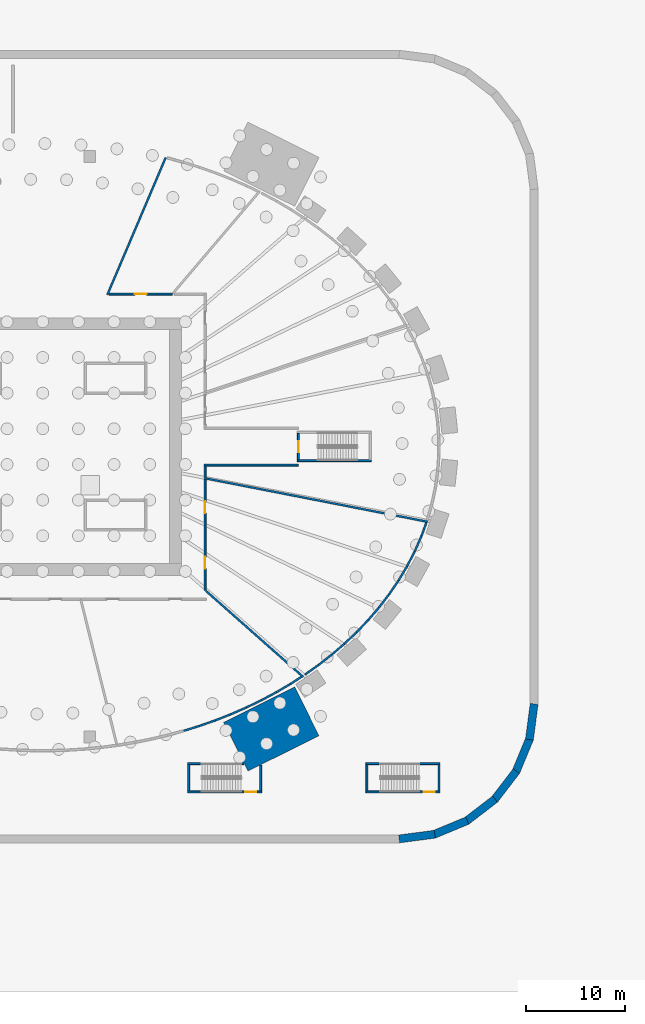
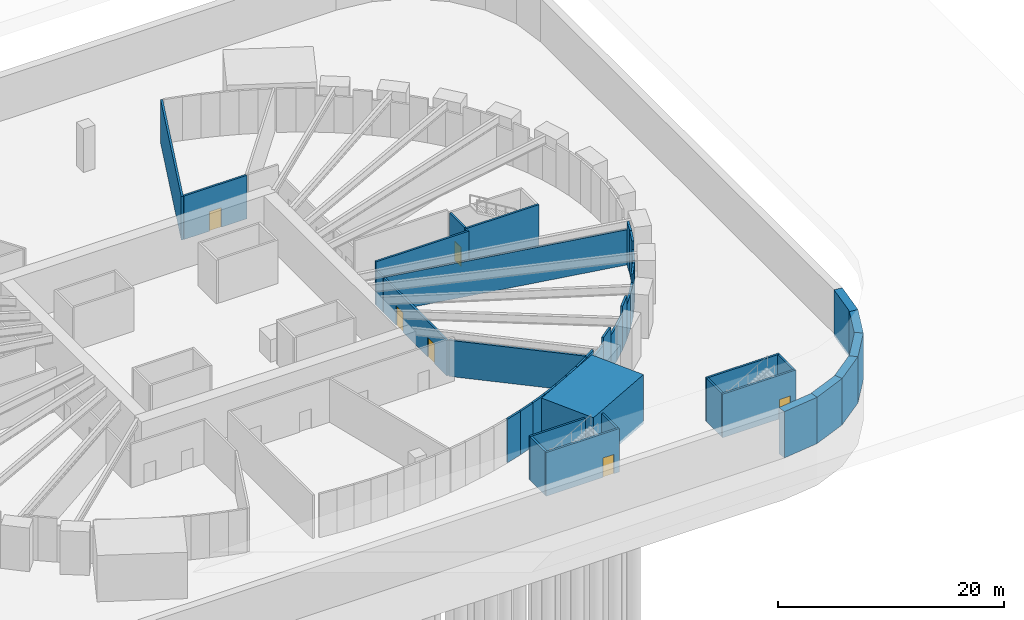
# One storey, part 5 of 14: 44 walls, 6 doors, 6 openings.
"""IFC4 building model written with IfcOpenShell, lengths in metres."""

from ifc_helpers import new_model, si_unit, direction, frame, frame_2d, origin, place, context, subcontext, project, spatial, rectangle, extrude, source, transform, mapped, material, layer, layer_set, type_object, element, fill, save


model = new_model("IFC4")

# Units and contexts
model_context = context("Model", 3, precision=1e-05, world=origin(), true_north=direction((0.0, 1.0)))
body_context = subcontext(model_context, "Body", "Model", "MODEL_VIEW")
ifc_project = project(units=[si_unit("LENGTHUNIT", "METRE"), si_unit("AREAUNIT", "SQUARE_METRE"), si_unit("VOLUMEUNIT", "CUBIC_METRE"), si_unit("PLANEANGLEUNIT", "RADIAN"), si_unit("MASSUNIT", "GRAM", prefix="KILO")], contexts=[model_context])

# Site, building, storey
site_placement = place(None, origin())
site = spatial("IfcSite", under=ifc_project, at=site_placement, CompositionType="ELEMENT")
building_placement = place(site_placement, origin())
building = spatial("IfcBuilding", under=site, at=building_placement, Name="Embergate Tower", CompositionType="ELEMENT")
storey_placement = place(building_placement, frame((0.0, 0.0, -10.0)))
storey = spatial("IfcBuildingStorey", under=building, at=storey_placement, Name="B2", CompositionType="ELEMENT", Elevation=-10.0)

# Walls
ifc_material_1 = material(Name="Concrete C40", Category="concrete")
ifc_layer_1 = layer(ifc_material_1, 0.800048828125)
ifc_layer_set_1 = layer_set([ifc_layer_1], Name="Concrete C40")
wall_type_1 = type_object("IfcWallType", Name="Basement retaining wall C40 800", PredefinedType="SOLIDWALL", material=ifc_layer_set_1)
shared_shape_1 = source(origin(), body_context, "Body", "SweptSolid", [
    extrude(rectangle(XDim=3.62890625, YDim=0.800048828125, at=frame_2d((1.814453125, 0.0))), origin(), (0.0, 0.0, 1.0), 5.0),
])
for number, where, z_axis, x_axis, name in (
    (1, (35.97412109375, -39.60302734375, -0.300048828125), (0.0, 0.0, 1.0), (0.991463681552, 0.130383159045, 0.0), "RWL-B2-021"),
    (2, (49.1298828125, -29.572021484375, -0.300048828125), (0.0, 0.0, 1.0), (0.130383159045, 0.991463681552, 0.0), "RWL-B2-026"),
):
    element("IfcWall", number, at=place(storey_placement, frame(where, z_axis=z_axis, x_axis=x_axis)), inside=storey, type_object=wall_type_1, Name=name, PredefinedType="SOLIDWALL", context=body_context, shape_type="MappedRepresentation", body=[
        mapped(shared_shape_1, transform((0.0, 0.0, 0.0))),
    ])
shared_shape_2 = source(origin(), body_context, "Body", "SweptSolid", [
    extrude(rectangle(XDim=3.65625, YDim=0.800048828125, at=frame_2d((1.828125, 0.0))), origin(), (0.0, 0.0, 1.0), 5.0),
])
for number, where, z_axis, x_axis, name in (
    (3, (39.470947265625, -39.156982421875, -0.300048828125), (0.0, 0.0, 1.0), (0.923914303601, 0.382599476739, 0.0), "RWL-B2-022"),
    (4, (47.758056640625, -32.84912109375, -0.300048828125), (0.0, 0.0, 1.0), (0.382599476739, 0.923914303601, 0.0), "RWL-B2-025"),
):
    element("IfcWall", number, at=place(storey_placement, frame(where, z_axis=z_axis, x_axis=x_axis)), inside=storey, type_object=wall_type_1, Name=name, PredefinedType="SOLIDWALL", context=body_context, shape_type="MappedRepresentation", body=[
        mapped(shared_shape_2, transform((0.0, 0.0, 0.0))),
    ])
shared_shape_3 = source(origin(), body_context, "Body", "SweptSolid", [
    extrude(rectangle(XDim=3.656005859375, YDim=0.800048828125, at=frame_2d((1.828125, 0.0))), origin(), (0.0, 0.0, 1.0), 5.0),
])
for number, where, z_axis, x_axis, name in (
    (5, (42.758056640625, -37.81005859375, -0.300048828125), (0.0, 0.0, 1.0), (0.793462314297, 0.608619384994, 0.0), "RWL-B2-023"),
    (6, (45.5849609375, -35.658935546875, -0.300048828125), (0.0, 0.0, 1.0), (0.608619384994, 0.793462314297, 0.0), "RWL-B2-024"),
):
    element("IfcWall", number, at=place(storey_placement, frame(where, z_axis=z_axis, x_axis=x_axis)), inside=storey, type_object=wall_type_1, Name=name, PredefinedType="SOLIDWALL", context=body_context, shape_type="MappedRepresentation", body=[
        mapped(shared_shape_3, transform((0.0, 0.0, 0.0))),
    ])
ifc_material_2 = material(Name="Concrete C70", Category="concrete")
ifc_layer_2 = layer(ifc_material_2, 5.5)
ifc_layer_set_2 = layer_set([ifc_layer_2], Name="Concrete C70")
wall_type_2 = type_object("IfcWallType", Name="Abutment pier wall RC 5500x8000", PredefinedType="SHEAR", material=ifc_layer_set_2)
shared_shape_4 = source(origin(), body_context, "Body", "SweptSolid", [
    extrude(rectangle(XDim=8.000732421875, YDim=5.5, at=frame_2d((4.00048828125, 0.0))), origin(), (0.0, 0.0, 1.0), 5.300048828125),
])
wall_1_placement = place(storey_placement, frame((19.493896484375, -30.2880859375, -0.300048828125), z_axis=(0.0, 0.0, 1.0), x_axis=(0.895668726524, 0.444721859511, 0.0)))
element("IfcWall", 7, at=wall_1_placement, inside=storey, type_object=wall_type_2, Name="PIER-B2-37", PredefinedType="SHEAR", context=body_context, shape_type="MappedRepresentation", body=[
    mapped(shared_shape_4, transform((0.0, 0.0, 0.0))),
])
ifc_layer_3 = layer(ifc_material_1, 0.199951171875)
ifc_layer_set_3 = layer_set([ifc_layer_3], Name="Concrete C40")
wall_type_3 = type_object("IfcWallType", Name="Stair enclosure wall RC 200", PredefinedType="STANDARD", material=ifc_layer_set_3)
shared_shape_5 = source(origin(), body_context, "Body", "SweptSolid", [
    extrude(rectangle(XDim=2.64990234375, YDim=0.199951171875, at=frame_2d((1.324951171875, 0.0))), origin(), (0.0, 0.0, 1.0), 4.699951171875),
])
wall_2_placement = place(storey_placement, frame((14.72998046875, -34.75, 0.0), z_axis=(0.0, 0.0, 1.0), x_axis=(0.0, 1.0, 0.0)))
element("IfcWall", 8, at=wall_2_placement, inside=storey, type_object=wall_type_3, Name="Stair wall 104", PredefinedType="STANDARD", context=body_context, shape_type="MappedRepresentation", body=[
    mapped(shared_shape_5, transform((0.0, 0.0, 0.0))),
])

# Wall, opening, door
wall_3_placement = place(storey_placement, frame((25.800048828125, 1.324951171875, 0.0), z_axis=(0.0, 0.0, 1.0), x_axis=(0.0, -1.0, 0.0)))
wall_3 = element("IfcWall", 9, at=wall_3_placement, inside=storey, type_object=wall_type_3, Name="Stair wall 132", PredefinedType="STANDARD", context=body_context, shape_type="MappedRepresentation", body=[
    mapped(shared_shape_5, transform((0.0, 0.0, 0.0))),
])
shared_shape_6 = source(origin(), body_context, "Body", "SweptSolid", [
    extrude(rectangle(XDim=1.10009765625, YDim=2.10009765625, at=frame_2d((0.550048828125, 1.050048828125))), frame((0.0, 0.10986328125, 0.0), z_axis=(0.0, -1.0, 0.0), x_axis=(1.0, 0.0, 0.0)), (0.0, 0.0, 1.0), 0.219970703125),
])
opening_1_placement = place(wall_3_placement, frame((0.77490234375, 0.0, 0.0)))
opening_1 = element("IfcOpeningElement", 10, at=opening_1_placement, cuts=wall_3, Name="Opening DS-315", PredefinedType="OPENING", context=body_context, shape_type="MappedRepresentation", body=[
    mapped(shared_shape_6, transform((0.0, 0.0, 0.0))),
])
ifc_material_3 = material(Name="Steel fire door leaf", Category="steel")
door_type_1 = type_object("IfcDoorType", Name="Fire door class B 1100x2100", OperationType="SINGLE_SWING_LEFT", PredefinedType="DOOR", material=ifc_material_3)
shared_shape_7 = source(origin(), body_context, "Body", "SweptSolid", [
    extrude(rectangle(XDim=1.10009765625, YDim=2.10009765625, at=frame_2d((0.550048828125, 1.050048828125))), frame((0.0, 0.02490234375, 0.0), z_axis=(0.0, -1.0, 0.0), x_axis=(1.0, 0.0, 0.0)), (0.0, 0.0, 1.0), 0.050048828125),
])
door_1_placement = place(opening_1_placement, origin())
door_1 = element("IfcDoor", 11, at=door_1_placement, inside=storey, type_object=door_type_1, Name="Door to Exit stair enclosure", OperationType="SINGLE_SWING_LEFT", OverallHeight=2.10009765625, OverallWidth=1.10009765625, PredefinedType="DOOR", context=body_context, shape_type="MappedRepresentation", body=[
    mapped(shared_shape_7, transform((0.0, 0.0, 0.0))),
])
fill(opening_1, door_1)

# Walls
for number, where, z_axis, x_axis, name in (
    (12, (32.72998046875, -34.75, 0.0), (0.0, 0.0, 1.0), (0.0, 1.0, 0.0), "Stair wall 144"),
    (13, (40.0, -32.10009765625, 0.0), (0.0, 0.0, 1.0), (0.0, -1.0, 0.0), "Stair wall 173"),
):
    element("IfcWall", number, at=place(storey_placement, frame(where, z_axis=z_axis, x_axis=x_axis)), inside=storey, type_object=wall_type_3, Name=name, PredefinedType="STANDARD", context=body_context, shape_type="MappedRepresentation", body=[
        mapped(shared_shape_5, transform((0.0, 0.0, 0.0))),
    ])

# Wall, opening, door
shared_shape_8 = source(origin(), body_context, "Body", "SweptSolid", [
    extrude(rectangle(XDim=7.47021484375, YDim=0.199951171875, at=frame_2d((3.735107421875, 0.0))), origin(), (0.0, 0.0, 1.0), 4.699951171875),
])
wall_4_placement = place(storey_placement, frame((14.6298828125, -34.85009765625, 0.0), z_axis=(0.0, 0.0, 1.0), x_axis=(1.0, 0.0, 0.0)))
wall_4 = element("IfcWall", 14, at=wall_4_placement, inside=storey, type_object=wall_type_3, Name="Stair wall 105", PredefinedType="STANDARD", context=body_context, shape_type="MappedRepresentation", body=[
    mapped(shared_shape_8, transform((0.0, 0.0, 0.0))),
])
opening_2_placement = place(wall_4_placement, frame((5.820068359375, 0.0, 0.0)))
opening_2 = element("IfcOpeningElement", 15, at=opening_2_placement, cuts=wall_4, Name="Opening DS-338", PredefinedType="OPENING", context=body_context, shape_type="MappedRepresentation", body=[
    mapped(shared_shape_6, transform((0.0, 0.0, 0.0))),
])
door_2_placement = place(opening_2_placement, origin())
door_2 = element("IfcDoor", 16, at=door_2_placement, inside=storey, type_object=door_type_1, Name="Door to Exit stair enclosure", OperationType="SINGLE_SWING_LEFT", OverallHeight=2.10009765625, OverallWidth=1.10009765625, PredefinedType="DOOR", context=body_context, shape_type="MappedRepresentation", body=[
    mapped(shared_shape_7, transform((0.0, 0.0, 0.0))),
])
fill(opening_2, door_2)

wall_5_placement = place(storey_placement, frame((32.6298828125, -34.85009765625, 0.0), z_axis=(0.0, 0.0, 1.0), x_axis=(1.0, 0.0, 0.0)))
wall_5 = element("IfcWall", 17, at=wall_5_placement, inside=storey, type_object=wall_type_3, Name="Stair wall 145", PredefinedType="STANDARD", context=body_context, shape_type="MappedRepresentation", body=[
    mapped(shared_shape_8, transform((0.0, 0.0, 0.0))),
])
opening_3_placement = place(wall_5_placement, frame((5.820068359375, 0.0, 0.0)))
opening_3 = element("IfcOpeningElement", 18, at=opening_3_placement, cuts=wall_5, Name="Opening DS-339", PredefinedType="OPENING", context=body_context, shape_type="MappedRepresentation", body=[
    mapped(shared_shape_6, transform((0.0, 0.0, 0.0))),
])
door_3_placement = place(opening_3_placement, origin())
door_3 = element("IfcDoor", 19, at=door_3_placement, inside=storey, type_object=door_type_1, Name="Door to Exit stair enclosure", OperationType="SINGLE_SWING_LEFT", OverallHeight=2.10009765625, OverallWidth=1.10009765625, PredefinedType="DOOR", context=body_context, shape_type="MappedRepresentation", body=[
    mapped(shared_shape_7, transform((0.0, 0.0, 0.0))),
])
fill(opening_3, door_3)

# Walls
wall_6_placement = place(storey_placement, frame((32.6298828125, -32.0, 0.0), z_axis=(0.0, 0.0, 1.0), x_axis=(1.0, 0.0, 0.0)))
element("IfcWall", 20, at=wall_6_placement, inside=storey, type_object=wall_type_3, Name="Stair wall 146", PredefinedType="STANDARD", context=body_context, shape_type="MappedRepresentation", body=[
    mapped(shared_shape_8, transform((0.0, 0.0, 0.0))),
])
ifc_material_4 = material(Name="Blockwork, plastered", Category="masonry")
ifc_layer_4 = layer(ifc_material_4, 0.199951171875)
ifc_layer_set_4 = layer_set([ifc_layer_4], Name="Blockwork, plastered")
wall_type_4 = type_object("IfcWallType", Name="Fire partition wall 200 block", PredefinedType="PARTITIONING", material=ifc_layer_set_4)
shared_shape_9 = source(origin(), body_context, "Body", "SweptSolid", [
    extrude(rectangle(XDim=1.68408203125, YDim=0.199951171875, at=frame_2d((0.842041015625, 0.0))), origin(), (0.0, 0.0, 1.0), 4.699951171875),
])
wall_7_placement = place(storey_placement, frame((38.236083984375, -9.013916015625, 0.0), z_axis=(0.0, 0.0, 1.0), x_axis=(-0.402004884465, -0.91563752264, 0.0)))
element("IfcWall", 21, at=wall_7_placement, inside=storey, type_object=wall_type_4, Name="Partition 161", PredefinedType="PARTITIONING", context=body_context, shape_type="MappedRepresentation", body=[
    mapped(shared_shape_9, transform((0.0, 0.0, 0.0))),
])
shared_shape_10 = source(origin(), body_context, "Body", "SweptSolid", [
    extrude(rectangle(XDim=1.703369140625, YDim=0.199951171875, at=frame_2d((0.8515625, 0.0))), origin(), (0.0, 0.0, 1.0), 3.800048828125),
])
wall_8_placement = place(storey_placement, frame((37.55908203125, -10.555908203125, 0.0), z_axis=(0.0, 0.0, 1.0), x_axis=(-0.459099243657, -0.888384986632, 0.0)))
element("IfcWall", 22, at=wall_8_placement, inside=storey, type_object=wall_type_4, Name="Partition 159", PredefinedType="PARTITIONING", context=body_context, shape_type="MappedRepresentation", body=[
    mapped(shared_shape_10, transform((0.0, 0.0, 0.0))),
])
shared_shape_11 = source(origin(), body_context, "Body", "SweptSolid", [
    extrude(rectangle(XDim=1.664306640625, YDim=0.199951171875, at=frame_2d((0.83203125, 0.0))), origin(), (0.0, 0.0, 1.0), 3.800048828125),
])
wall_9_placement = place(storey_placement, frame((36.777099609375, -12.069091796875, 0.0), z_axis=(0.0, 0.0, 1.0), x_axis=(-0.512574404265, -0.858642812869, 0.0)))
element("IfcWall", 23, at=wall_9_placement, inside=storey, type_object=wall_type_4, Name="Partition 157", PredefinedType="PARTITIONING", context=body_context, shape_type="MappedRepresentation", body=[
    mapped(shared_shape_11, transform((0.0, 0.0, 0.0))),
])
shared_shape_12 = source(origin(), body_context, "Body", "SweptSolid", [
    extrude(rectangle(XDim=1.686767578125, YDim=0.199951171875, at=frame_2d((0.84326171875, 0.0))), origin(), (0.0, 0.0, 1.0), 4.699951171875),
])
wall_10_placement = place(storey_placement, frame((35.924072265625, -13.498046875, 0.0), z_axis=(0.0, 0.0, 1.0), x_axis=(-0.562060565022, -0.827096077398, 0.0)))
element("IfcWall", 24, at=wall_10_placement, inside=storey, type_object=wall_type_4, Name="Partition 155", PredefinedType="PARTITIONING", context=body_context, shape_type="MappedRepresentation", body=[
    mapped(shared_shape_12, transform((0.0, 0.0, 0.0))),
])
shared_shape_13 = source(origin(), body_context, "Body", "SweptSolid", [
    extrude(rectangle(XDim=1.7080078125, YDim=0.199951171875, at=frame_2d((0.85400390625, 0.0))), origin(), (0.0, 0.0, 1.0), 3.800048828125),
])
wall_11_placement = place(storey_placement, frame((34.97607421875, -14.89306640625, 0.0), z_axis=(0.0, 0.0, 1.0), x_axis=(-0.608881540083, -0.793261161375, 0.0)))
element("IfcWall", 25, at=wall_11_placement, inside=storey, type_object=wall_type_4, Name="Partition 153", PredefinedType="PARTITIONING", context=body_context, shape_type="MappedRepresentation", body=[
    mapped(shared_shape_13, transform((0.0, 0.0, 0.0))),
])
shared_shape_14 = source(origin(), body_context, "Body", "SweptSolid", [
    extrude(rectangle(XDim=7.469970703125, YDim=0.199951171875, at=frame_2d((3.73486328125, 0.0))), origin(), (0.0, 0.0, 1.0), 4.699951171875),
])
wall_12_placement = place(storey_placement, frame((33.169921875, -1.425048828125, 0.0), z_axis=(0.0, 0.0, 1.0), x_axis=(-1.0, 0.0, 0.0)))
element("IfcWall", 26, at=wall_12_placement, inside=storey, type_object=wall_type_3, Name="Stair wall 149", PredefinedType="STANDARD", context=body_context, shape_type="MappedRepresentation", body=[
    mapped(shared_shape_14, transform((0.0, 0.0, 0.0))),
])
shared_shape_15 = source(origin(), body_context, "Body", "SweptSolid", [
    extrude(rectangle(XDim=1.665771484375, YDim=0.199951171875, at=frame_2d((0.8330078125, 0.0))), origin(), (0.0, 0.0, 1.0), 3.800048828125),
])
wall_13_placement = place(storey_placement, frame((33.93603515625, -16.248046875, 0.0), z_axis=(0.0, 0.0, 1.0), x_axis=(-0.651346432012, -0.758780485717, 0.0)))
element("IfcWall", 27, at=wall_13_placement, inside=storey, type_object=wall_type_4, Name="Partition 151", PredefinedType="PARTITIONING", context=body_context, shape_type="MappedRepresentation", body=[
    mapped(shared_shape_15, transform((0.0, 0.0, 0.0))),
])
shared_shape_16 = source(origin(), body_context, "Body", "SweptSolid", [
    extrude(rectangle(XDim=1.68896484375, YDim=0.199951171875, at=frame_2d((0.844482421875, 0.0))), origin(), (0.0, 0.0, 1.0), 4.699951171875),
])
wall_14_placement = place(storey_placement, frame((32.85107421875, -17.511962890625, 0.0), z_axis=(0.0, 0.0, 1.0), x_axis=(-0.690362287373, -0.723463829209, 0.0)))
element("IfcWall", 28, at=wall_14_placement, inside=storey, type_object=wall_type_4, Name="Partition 147", PredefinedType="PARTITIONING", context=body_context, shape_type="MappedRepresentation", body=[
    mapped(shared_shape_16, transform((0.0, 0.0, 0.0))),
])
shared_shape_17 = source(origin(), body_context, "Body", "SweptSolid", [
    extrude(rectangle(XDim=1.711181640625, YDim=0.199951171875, at=frame_2d((0.85546875, 0.0))), origin(), (0.0, 0.0, 1.0), 3.800048828125),
])
wall_15_placement = place(storey_placement, frame((31.68505859375, -18.73388671875, 0.0), z_axis=(0.0, 0.0, 1.0), x_axis=(-0.725828944037, -0.687875238687, 0.0)))
element("IfcWall", 29, at=wall_15_placement, inside=storey, type_object=wall_type_4, Name="Partition 142", PredefinedType="PARTITIONING", context=body_context, shape_type="MappedRepresentation", body=[
    mapped(shared_shape_17, transform((0.0, 0.0, 0.0))),
])
shared_shape_18 = source(origin(), body_context, "Body", "SweptSolid", [
    extrude(rectangle(XDim=1.669677734375, YDim=0.199951171875, at=frame_2d((0.8349609375, 0.0))), origin(), (0.0, 0.0, 1.0), 3.800048828125),
])
wall_16_placement = place(storey_placement, frame((30.443115234375, -19.910888671875, 0.0), z_axis=(0.0, 0.0, 1.0), x_axis=(-0.75893652375, -0.651164612766, 0.0)))
element("IfcWall", 30, at=wall_16_placement, inside=storey, type_object=wall_type_4, Name="Partition 140", PredefinedType="PARTITIONING", context=body_context, shape_type="MappedRepresentation", body=[
    mapped(shared_shape_18, transform((0.0, 0.0, 0.0))),
])
shared_shape_19 = source(origin(), body_context, "Body", "SweptSolid", [
    extrude(rectangle(XDim=1.68994140625, YDim=0.199951171875, at=frame_2d((0.844970703125, 0.0))), origin(), (0.0, 0.0, 1.0), 4.699951171875),
])
wall_17_placement = place(storey_placement, frame((29.176025390625, -20.998046875, 0.0), z_axis=(0.0, 0.0, 1.0), x_axis=(-0.788199556762, -0.6154197419, 0.0)))
element("IfcWall", 31, at=wall_17_placement, inside=storey, type_object=wall_type_4, Name="Partition 138", PredefinedType="PARTITIONING", context=body_context, shape_type="MappedRepresentation", body=[
    mapped(shared_shape_19, transform((0.0, 0.0, 0.0))),
])
shared_shape_20 = source(origin(), body_context, "Body", "SweptSolid", [
    extrude(rectangle(XDim=1.71142578125, YDim=0.199951171875, at=frame_2d((0.855712890625, 0.0))), origin(), (0.0, 0.0, 1.0), 3.89990234375),
])
wall_18_placement = place(storey_placement, frame((27.843994140625, -22.0380859375, 0.0), z_axis=(0.0, 0.0, 1.0), x_axis=(-0.81570474183, -0.578468472914, 0.0)))
element("IfcWall", 32, at=wall_18_placement, inside=storey, type_object=wall_type_4, Name="Partition 136", PredefinedType="PARTITIONING", context=body_context, shape_type="MappedRepresentation", body=[
    mapped(shared_shape_20, transform((0.0, 0.0, 0.0))),
])
shared_shape_21 = source(origin(), body_context, "Body", "SweptSolid", [
    extrude(rectangle(XDim=9.5, YDim=0.199951171875, at=frame_2d((4.75, 0.0))), origin(), (0.0, 0.0, 1.0), 4.699951171875),
])
wall_19_placement = place(storey_placement, frame((25.800048828125, -1.875, 0.0), z_axis=(0.0, 0.0, 1.0), x_axis=(-1.0, 0.0, 0.0)))
element("IfcWall", 33, at=wall_19_placement, inside=storey, type_object=wall_type_4, Name="Partition 131", PredefinedType="PARTITIONING", context=body_context, shape_type="MappedRepresentation", body=[
    mapped(shared_shape_21, transform((0.0, 0.0, 0.0))),
])
shared_shape_22 = source(origin(), body_context, "Body", "SweptSolid", [
    extrude(rectangle(XDim=1.691162109375, YDim=0.199951171875, at=frame_2d((0.845703125, 0.0))), origin(), (0.0, 0.0, 1.0), 4.699951171875),
])
wall_20_placement = place(storey_placement, frame((25.04296875, -23.93603515625, 0.0), z_axis=(0.0, 0.0, 1.0), x_axis=(-0.862119710522, -0.506704652366, 0.0)))
element("IfcWall", 34, at=wall_20_placement, inside=storey, type_object=wall_type_4, Name="Partition 129", PredefinedType="PARTITIONING", context=body_context, shape_type="MappedRepresentation", body=[
    mapped(shared_shape_22, transform((0.0, 0.0, 0.0))),
])
shared_shape_23 = source(origin(), body_context, "Body", "SweptSolid", [
    extrude(rectangle(XDim=1.7109375, YDim=0.199951171875, at=frame_2d((0.85546875, 0.0))), origin(), (0.0, 0.0, 1.0), 4.699951171875),
])
wall_21_placement = place(storey_placement, frame((23.5849609375, -24.79296875, 0.0), z_axis=(0.0, 0.0, 1.0), x_axis=(-0.882028817925, -0.471195462998, 0.0)))
element("IfcWall", 35, at=wall_21_placement, inside=storey, type_object=wall_type_4, Name="Partition 127", PredefinedType="PARTITIONING", context=body_context, shape_type="MappedRepresentation", body=[
    mapped(shared_shape_23, transform((0.0, 0.0, 0.0))),
])
shared_shape_24 = source(origin(), body_context, "Body", "SweptSolid", [
    extrude(rectangle(XDim=1.67724609375, YDim=0.199951171875, at=frame_2d((0.838623046875, 0.0))), origin(), (0.0, 0.0, 1.0), 4.699951171875),
])
wall_22_placement = place(storey_placement, frame((22.075927734375, -25.59912109375, 0.0), z_axis=(0.0, 0.0, 1.0), x_axis=(-0.900315681162, -0.435237491783, 0.0)))
element("IfcWall", 36, at=wall_22_placement, inside=storey, type_object=wall_type_4, Name="Partition 125", PredefinedType="PARTITIONING", context=body_context, shape_type="MappedRepresentation", body=[
    mapped(shared_shape_24, transform((0.0, 0.0, 0.0))),
])
shared_shape_25 = source(origin(), body_context, "Body", "SweptSolid", [
    extrude(rectangle(XDim=2.60009765625, YDim=0.199951171875, at=frame_2d((1.300048828125, 0.0))), origin(), (0.0, 0.0, 1.0), 4.699951171875),
])
wall_23_placement = place(storey_placement, frame((22.0, -32.14990234375, 0.0), z_axis=(0.0, 0.0, 1.0), x_axis=(0.0, -1.0, 0.0)))
element("IfcWall", 37, at=wall_23_placement, inside=storey, type_object=wall_type_3, Name="Stair wall 124", PredefinedType="STANDARD", context=body_context, shape_type="MappedRepresentation", body=[
    mapped(shared_shape_25, transform((0.0, 0.0, 0.0))),
])
shared_shape_26 = source(origin(), body_context, "Body", "SweptSolid", [
    extrude(rectangle(XDim=1.693115234375, YDim=0.199951171875, at=frame_2d((0.8466796875, 0.0))), origin(), (0.0, 0.0, 1.0), 4.699951171875),
])
wall_24_placement = place(storey_placement, frame((20.56591796875, -26.3291015625, 0.0), z_axis=(0.0, 0.0, 1.0), x_axis=(-0.91607458021, -0.401007934451, 0.0)))
element("IfcWall", 38, at=wall_24_placement, inside=storey, type_object=wall_type_4, Name="Partition 122", PredefinedType="PARTITIONING", context=body_context, shape_type="MappedRepresentation", body=[
    mapped(shared_shape_26, transform((0.0, 0.0, 0.0))),
])
shared_shape_27 = source(origin(), body_context, "Body", "SweptSolid", [
    extrude(rectangle(XDim=1.70703125, YDim=0.199951171875, at=frame_2d((0.853515625, 0.0))), origin(), (0.0, 0.0, 1.0), 4.699951171875),
])
wall_25_placement = place(storey_placement, frame((19.014892578125, -27.008056640625, 0.0), z_axis=(0.0, 0.0, 1.0), x_axis=(-0.930786256978, -0.365563871056, 0.0)))
element("IfcWall", 39, at=wall_25_placement, inside=storey, type_object=wall_type_4, Name="Partition 120", PredefinedType="PARTITIONING", context=body_context, shape_type="MappedRepresentation", body=[
    mapped(shared_shape_27, transform((0.0, 0.0, 0.0))),
])
shared_shape_28 = source(origin(), body_context, "Body", "SweptSolid", [
    extrude(rectangle(XDim=1.681884765625, YDim=0.199951171875, at=frame_2d((0.8408203125, 0.0))), origin(), (0.0, 0.0, 1.0), 4.699951171875),
])
wall_26_placement = place(storey_placement, frame((17.426025390625, -27.632080078125, 0.0), z_axis=(0.0, 0.0, 1.0), x_axis=(-0.94358645522, -0.331126262209, 0.0)))
element("IfcWall", 40, at=wall_26_placement, inside=storey, type_object=wall_type_4, Name="Partition 118", PredefinedType="PARTITIONING", context=body_context, shape_type="MappedRepresentation", body=[
    mapped(shared_shape_28, transform((0.0, 0.0, 0.0))),
])
shared_shape_29 = source(origin(), body_context, "Body", "SweptSolid", [
    extrude(rectangle(XDim=5.68017578125, YDim=0.199951171875, at=frame_2d((2.840087890625, 0.0))), origin(), (0.0, 0.0, 1.0), 4.699951171875),
])
wall_27_placement = place(storey_placement, frame((14.6298828125, -32.0, 0.0), z_axis=(0.0, 0.0, 1.0), x_axis=(1.0, 0.0, 0.0)))
element("IfcWall", 41, at=wall_27_placement, inside=storey, type_object=wall_type_3, Name="Stair wall 106", PredefinedType="STANDARD", context=body_context, shape_type="MappedRepresentation", body=[
    mapped(shared_shape_29, transform((0.0, 0.0, 0.0))),
])
shared_shape_30 = source(origin(), body_context, "Body", "SweptSolid", [
    extrude(rectangle(XDim=1.69384765625, YDim=0.199951171875, at=frame_2d((0.846923828125, 0.0))), origin(), (0.0, 0.0, 1.0), 4.699951171875),
])
wall_28_placement = place(storey_placement, frame((15.839111328125, -28.18896484375, 0.0), z_axis=(0.0, 0.0, 1.0), x_axis=(-0.954684912591, -0.297618409496, 0.0)))
element("IfcWall", 42, at=wall_28_placement, inside=storey, type_object=wall_type_4, Name="Partition 107", PredefinedType="PARTITIONING", context=body_context, shape_type="MappedRepresentation", body=[
    mapped(shared_shape_30, transform((0.0, 0.0, 0.0))),
])
shared_shape_31 = source(origin(), body_context, "Body", "SweptSolid", [
    extrude(rectangle(XDim=15.076171875, YDim=0.199951171875, at=frame_2d((7.5380859375, 0.0))), origin(), (0.0, 0.0, 1.0), 4.699951171875),
])
wall_29_placement = place(storey_placement, frame((6.511962890625, 15.30810546875, 0.0), z_axis=(0.0, 0.0, 1.0), x_axis=(0.391486607548, 0.920183805612, 0.0)))
element("IfcWall", 43, at=wall_29_placement, inside=storey, type_object=wall_type_4, Name="Partition 093", PredefinedType="PARTITIONING", context=body_context, shape_type="MappedRepresentation", body=[
    mapped(shared_shape_31, transform((0.0, 0.0, 0.0))),
])

# Wall, opening, door
shared_shape_32 = source(origin(), body_context, "Body", "SweptSolid", [
    extrude(rectangle(XDim=6.39111328125, YDim=0.199951171875, at=frame_2d((3.195556640625, 0.0))), origin(), (0.0, 0.0, 1.0), 4.699951171875),
])
wall_30_placement = place(storey_placement, frame((6.69091796875, 15.39990234375, 0.0), z_axis=(0.0, 0.0, 1.0), x_axis=(1.0, 0.0, 0.0)))
wall_30 = element("IfcWall", 44, at=wall_30_placement, inside=storey, type_object=wall_type_4, Name="Partition 094", PredefinedType="PARTITIONING", context=body_context, shape_type="MappedRepresentation", body=[
    mapped(shared_shape_32, transform((0.0, 0.0, 0.0))),
])
shared_shape_33 = source(origin(), body_context, "Body", "SweptSolid", [
    extrude(rectangle(XDim=1.199951171875, YDim=2.10009765625, at=frame_2d((0.60009765625, 1.050048828125))), frame((0.0, 0.10986328125, 0.0), z_axis=(0.0, -1.0, 0.0), x_axis=(1.0, 0.0, 0.0)), (0.0, 0.0, 1.0), 0.219970703125),
])
opening_4_placement = place(wall_30_placement, frame((2.595947265625, 0.0, 0.0)))
opening_4 = element("IfcOpeningElement", 45, at=opening_4_placement, cuts=wall_30, Name="Opening DS-335", PredefinedType="OPENING", context=body_context, shape_type="MappedRepresentation", body=[
    mapped(shared_shape_33, transform((0.0, 0.0, 0.0))),
])
ifc_material_5 = material(Name="Timber door leaf, steel frame", Category="steel")
door_type_2 = type_object("IfcDoorType", Name="Plant door 1200x2100", OperationType="SINGLE_SWING_LEFT", PredefinedType="DOOR", material=ifc_material_5)
shared_shape_34 = source(origin(), body_context, "Body", "SweptSolid", [
    extrude(rectangle(XDim=1.199951171875, YDim=2.10009765625, at=frame_2d((0.60009765625, 1.050048828125))), frame((0.0, 0.02490234375, 0.0), z_axis=(0.0, -1.0, 0.0), x_axis=(1.0, 0.0, 0.0)), (0.0, 0.0, 1.0), 0.050048828125),
])
door_4_placement = place(opening_4_placement, origin())
door_4 = element("IfcDoor", 46, at=door_4_placement, inside=storey, type_object=door_type_2, Name="Door to Water treatment plant room", OperationType="SINGLE_SWING_LEFT", OverallHeight=2.10009765625, OverallWidth=1.199951171875, PredefinedType="DOOR", context=body_context, shape_type="MappedRepresentation", body=[
    mapped(shared_shape_34, transform((0.0, 0.0, 0.0))),
])
fill(opening_4, door_4)

# Wall
shared_shape_35 = source(origin(), body_context, "Body", "SweptSolid", [
    extrude(rectangle(XDim=13.098388671875, YDim=0.199951171875, at=frame_2d((6.54931640625, 0.0))), origin(), (0.0, 0.0, 1.0), 3.89990234375),
])
wall_31_placement = place(storey_placement, frame((16.47509765625, -14.569091796875, 0.0), z_axis=(0.0, 0.0, 1.0), x_axis=(0.749104705592, -0.662451613373, 0.0)))
element("IfcWall", 47, at=wall_31_placement, inside=storey, type_object=wall_type_4, Name="Partition 110", PredefinedType="PARTITIONING", context=body_context, shape_type="MappedRepresentation", body=[
    mapped(shared_shape_35, transform((0.0, 0.0, 0.0))),
])

# Wall, openings, doors
shared_shape_36 = source(origin(), body_context, "Body", "SweptSolid", [
    extrude(rectangle(XDim=11.18896484375, YDim=0.199951171875, at=frame_2d((5.594482421875, 0.0))), origin(), (0.0, 0.0, 1.0), 3.800048828125),
])
wall_32_placement = place(storey_placement, frame((16.39990234375, -3.31396484375, 0.0), z_axis=(0.0, 0.0, 1.0), x_axis=(0.0, -1.0, 0.0)))
wall_32 = element("IfcWall", 48, at=wall_32_placement, inside=storey, type_object=wall_type_4, Name="Partition 111", PredefinedType="PARTITIONING", context=body_context, shape_type="MappedRepresentation", body=[
    mapped(shared_shape_36, transform((0.0, 0.0, 0.0))),
])
opening_5_placement = place(wall_32_placement, frame((2.197021484375, 0.0, 0.0)))
opening_5 = element("IfcOpeningElement", 49, at=opening_5_placement, cuts=wall_32, Name="Opening DS-329", PredefinedType="OPENING", context=body_context, shape_type="MappedRepresentation", body=[
    mapped(shared_shape_33, transform((0.0, 0.0, 0.0))),
])
opening_6_placement = place(wall_32_placement, frame((7.7919921875, 0.0, 0.0)))
opening_6 = element("IfcOpeningElement", 50, at=opening_6_placement, cuts=wall_32, Name="Opening DS-330", PredefinedType="OPENING", context=body_context, shape_type="MappedRepresentation", body=[
    mapped(shared_shape_33, transform((0.0, 0.0, 0.0))),
])
door_5_placement = place(opening_5_placement, origin())
door_5 = element("IfcDoor", 51, at=door_5_placement, inside=storey, type_object=door_type_2, Name="Door to Generator room", OperationType="SINGLE_SWING_LEFT", OverallHeight=2.10009765625, OverallWidth=1.199951171875, PredefinedType="DOOR", context=body_context, shape_type="MappedRepresentation", body=[
    mapped(shared_shape_34, transform((0.0, 0.0, 0.0))),
])
fill(opening_5, door_5)
door_6_placement = place(opening_6_placement, origin())
door_6 = element("IfcDoor", 52, at=door_6_placement, inside=storey, type_object=door_type_2, Name="Door to Generator room", OperationType="SINGLE_SWING_LEFT", OverallHeight=2.10009765625, OverallWidth=1.199951171875, PredefinedType="DOOR", context=body_context, shape_type="MappedRepresentation", body=[
    mapped(shared_shape_34, transform((0.0, 0.0, 0.0))),
])
fill(opening_6, door_6)

# Walls
shared_shape_37 = source(origin(), body_context, "Body", "SweptSolid", [
    extrude(rectangle(XDim=22.78076171875, YDim=0.199951171875, at=frame_2d((11.390380859375, 0.0))), origin(), (0.0, 0.0, 1.0), 3.800048828125),
])
wall_33_placement = place(storey_placement, frame((16.498046875, -3.222900390625, 0.0), z_axis=(0.0, 0.0, 1.0), x_axis=(0.981435917187, -0.191790355478, 0.0)))
element("IfcWall", 53, at=wall_33_placement, inside=storey, type_object=wall_type_4, Name="Partition 112", PredefinedType="PARTITIONING", context=body_context, shape_type="MappedRepresentation", body=[
    mapped(shared_shape_37, transform((0.0, 0.0, 0.0))),
])
shared_shape_38 = source(origin(), body_context, "Body", "SweptSolid", [
    extrude(rectangle(XDim=1.22900390625, YDim=0.199951171875, at=frame_2d((0.614501953125, 0.0))), origin(), (0.0, 0.0, 1.0), 3.800048828125),
])
wall_34_placement = place(storey_placement, frame((16.39990234375, -1.97509765625, 0.0), z_axis=(0.0, 0.0, 1.0), x_axis=(0.0, -1.0, 0.0)))
element("IfcWall", 54, at=wall_34_placement, inside=storey, type_object=wall_type_4, Name="Partition 113", PredefinedType="PARTITIONING", context=body_context, shape_type="MappedRepresentation", body=[
    mapped(shared_shape_38, transform((0.0, 0.0, 0.0))),
])
shared_shape_39 = source(origin(), body_context, "Body", "SweptSolid", [
    extrude(rectangle(XDim=1.272216796875, YDim=0.199951171875, at=frame_2d((0.63623046875, 0.0))), origin(), (0.0, 0.0, 1.0), 4.699951171875),
])
wall_35_placement = place(storey_placement, frame((26.111083984375, -23.2451171875, 0.0), z_axis=(0.0, 0.0, 1.0), x_axis=(-0.839647384524, -0.543131908161, 0.0)))
element("IfcWall", 55, at=wall_35_placement, inside=storey, type_object=wall_type_4, Name="Partition 134", PredefinedType="PARTITIONING", context=body_context, shape_type="MappedRepresentation", body=[
    mapped(shared_shape_39, transform((0.0, 0.0, 0.0))),
])
shared_shape_40 = source(origin(), body_context, "Body", "SweptSolid", [
    extrude(rectangle(XDim=1.4326171875, YDim=0.199951171875, at=frame_2d((0.71630859375, 0.0))), origin(), (0.0, 0.0, 1.0), 4.699951171875),
])
wall_36_placement = place(storey_placement, frame((38.72412109375, -7.6669921875, 0.0), z_axis=(0.0, 0.0, 1.0), x_axis=(-0.340661876216, -0.94018587848, 0.0)))
element("IfcWall", 56, at=wall_36_placement, inside=storey, type_object=wall_type_4, Name="Partition 163", PredefinedType="PARTITIONING", context=body_context, shape_type="MappedRepresentation", body=[
    mapped(shared_shape_40, transform((0.0, 0.0, 0.0))),
])

save(model, "model.ifc")
